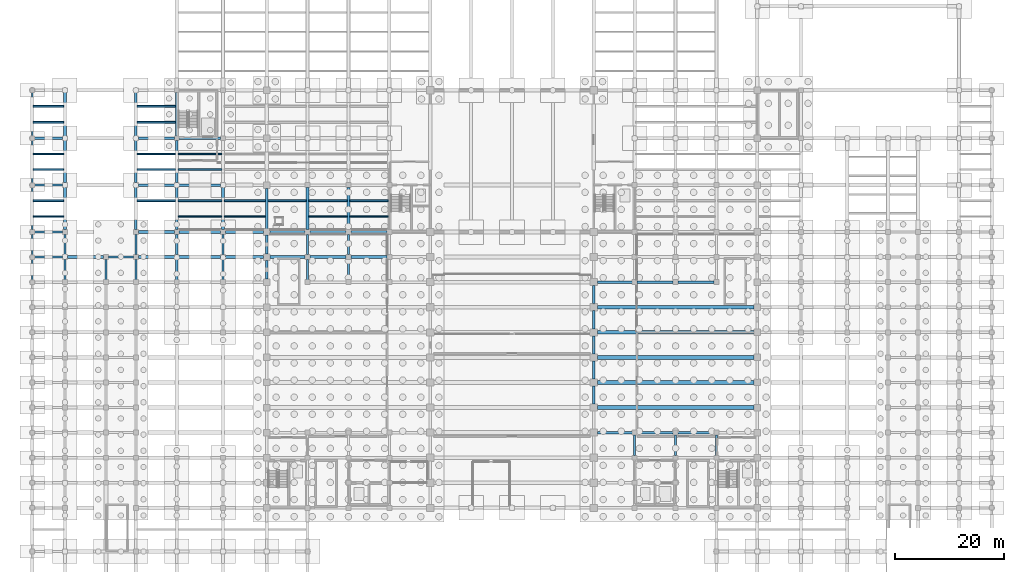
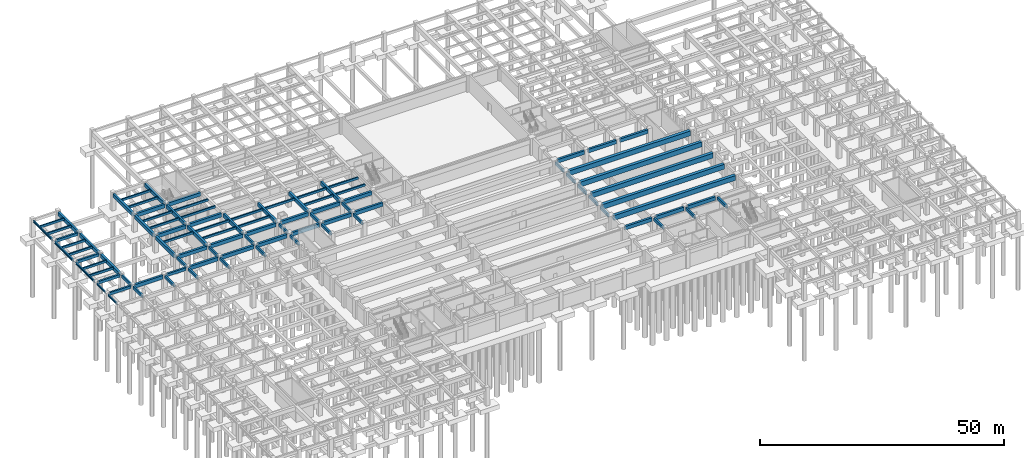
# One storey, part 15 of 32: 96 beams.
"""IFC4 building model written with IfcOpenShell, lengths in metres."""

import ifcopenshell
import ifcopenshell.guid

model = None  # the IFC model being written
_history = None  # IfcOwnerHistory: only IFC2X3 demands one
_inside = {}  # id of a spatial element -> (the spatial element, [elements in it])
_under = {}  # id of a project, library or spatial element -> (it, [spatial elements below it])
_declared = {}  # id of a project -> (the project, [libraries it declares])
_typed = {}  # id of a type object -> (the type object, [elements of that type])
_made_of = {}  # id of a material, layer set ... -> (it, [elements and type objects made of it])


def new_model(schema):
    """Start an empty IFC model of exactly this schema.

    Asked for "IFC4X3", IfcOpenShell would pick the latest addendum, in which some entities
    have other attributes; the version numbers below select the first issue.
    IFC2X3 requires an IfcOwnerHistory on every rooted entity: one is made here for all.
    """
    global model, _history
    if schema == "IFC4X3":
        model = ifcopenshell.file(schema_version=(4, 3, 0, 0))
    else:
        model = ifcopenshell.file(schema=schema)
    _inside.clear()
    _under.clear()
    _declared.clear()
    _typed.clear()
    _made_of.clear()
    _history = None
    if model.schema == "IFC2X3":
        org = make("IfcOrganization", Name="unknown")
        user = make(
            "IfcPersonAndOrganization",
            ThePerson=make("IfcPerson", FamilyName="unknown"),
            TheOrganization=org,
        )
        app = make(
            "IfcApplication",
            ApplicationDeveloper=org,
            Version="unknown",
            ApplicationFullName="unknown",
            ApplicationIdentifier="unknown",
        )
        _history = make(
            "IfcOwnerHistory",
            OwningUser=user,
            OwningApplication=app,
            ChangeAction="ADDED",
            CreationDate=0,
        )
    return model


def make(cls, **values):
    """One entity of the class cls with the attributes given. An attribute that is None is left unset."""
    return model.create_entity(
        cls, **{name: value for name, value in values.items() if value is not None}
    )


def rooted(cls, **values):
    """An entity with a GlobalId (a new one), such as an element, a storey or a relation."""
    return make(cls, GlobalId=ifcopenshell.guid.new(), OwnerHistory=_history, **values)


def si_unit(unit_type, name, prefix=None):
    """IfcSIUnit, for example si_unit("LENGTHUNIT", "METRE", prefix="MILLI")."""
    return make("IfcSIUnit", UnitType=unit_type, Prefix=prefix, Name=name)


def assignment(units):
    """IfcUnitAssignment: the units of a project."""
    return None if units is None else make("IfcUnitAssignment", Units=units)


def point(xyz):
    """IfcCartesianPoint."""
    return None if xyz is None else make("IfcCartesianPoint", Coordinates=xyz)


def direction(xyz):
    """IfcDirection."""
    return None if xyz is None else make("IfcDirection", DirectionRatios=xyz)


def frame(location, z_axis=None, x_axis=None):
    """IfcAxis2Placement3D, a coordinate frame: its origin and axes. An axis left out is left unset."""
    return make(
        "IfcAxis2Placement3D",
        Location=point(location),
        Axis=direction(z_axis),
        RefDirection=direction(x_axis),
    )


def frame_2d(location, x_axis=None):
    """IfcAxis2Placement2D, a coordinate frame in the plane: its origin and x axis."""
    return make(
        "IfcAxis2Placement2D", Location=point(location), RefDirection=direction(x_axis)
    )


def origin():
    """The frame at (0, 0, 0) with its axes left unset."""
    return frame((0.0, 0.0, 0.0))


def origin_2d():
    """The frame at (0, 0) in the plane with its x axis left unset."""
    return frame_2d((0.0, 0.0))


def place(relative_to, where):
    """IfcLocalPlacement: puts the frame where relative to a parent placement (None: the world)."""
    return make(
        "IfcLocalPlacement", PlacementRelTo=relative_to, RelativePlacement=where
    )


def context(
    kind, dimensions, precision=None, world=None, true_north=None, identifier=None
):
    """IfcGeometricRepresentationContext, for example the 3D "Model" context."""
    return make(
        "IfcGeometricRepresentationContext",
        ContextIdentifier=identifier,
        ContextType=kind,
        CoordinateSpaceDimension=dimensions,
        Precision=precision,
        WorldCoordinateSystem=world,
        TrueNorth=true_north,
    )


def subcontext(parent, identifier, kind, view, scale=None):
    """IfcGeometricRepresentationSubContext, for example "Body" below "Model"."""
    return make(
        "IfcGeometricRepresentationSubContext",
        ContextIdentifier=identifier,
        ContextType=kind,
        ParentContext=parent,
        TargetScale=scale,
        TargetView=view,
    )


def project(units=None, contexts=None):
    """IfcProject with its units and contexts."""
    return rooted(
        "IfcProject",
        Name="project",
        RepresentationContexts=contexts,
        UnitsInContext=assignment(units),
    )


def spatial(cls, under=None, at=None, **own):
    """A site, building, storey or space (cls), placed at a placement, below another one or the project."""
    s = rooted(cls, ObjectPlacement=at, **own)
    if under is not None:
        _under.setdefault(under.id(), (under, []))[1].append(s)
    return s


def profile(cls, at=None, kind="AREA", **sizes):
    """A parametric profile (cls). Its sizes go by their IFC names, for example OverallWidth=200.0."""
    return make(cls, ProfileType=kind, Position=at, **sizes)


def rectangle(**sizes):
    """IfcRectangleProfileDef."""
    return profile("IfcRectangleProfileDef", **sizes)


def i_section(**sizes):
    """IfcIShapeProfileDef."""
    return profile("IfcIShapeProfileDef", **sizes)


def extrude(swept, where, along, depth):
    """IfcExtrudedAreaSolid: the profile swept, set in the frame where, extruded along a direction by depth."""
    return make(
        "IfcExtrudedAreaSolid",
        SweptArea=swept,
        Position=where,
        ExtrudedDirection=direction(along),
        Depth=depth,
    )


def shape(context_of_items, identifier, shape_type, items):
    """IfcShapeRepresentation: the items that make up one representation, for example the "Body"."""
    return make(
        "IfcShapeRepresentation",
        ContextOfItems=context_of_items,
        RepresentationIdentifier=identifier,
        RepresentationType=shape_type,
        Items=items,
    )


def material(Name=None, Category=None):
    """IfcMaterial."""
    return make("IfcMaterial", Name=Name, Category=Category)


def material_profile(
    of_material, cross_section, Name=None, Category=None, Priority=None
):
    """IfcMaterialProfile: a cross section and its material."""
    return make(
        "IfcMaterialProfile",
        Name=Name,
        Material=of_material,
        Profile=cross_section,
        Priority=Priority,
        Category=Category,
    )


def profile_set(profiles, Name=None, composite=None):
    """IfcMaterialProfileSet."""
    return make(
        "IfcMaterialProfileSet",
        Name=Name,
        MaterialProfiles=profiles,
        CompositeProfile=composite,
    )


def made_of(thing, what):
    """Note that an element or type object is made of a material, layer set ...; save() writes the relation."""
    if what is not None:
        _made_of.setdefault(what.id(), (what, []))[1].append(thing)
    return thing


def type_object(cls, material=None, **own):
    """A type object (cls), such as IfcWallType, which elements share."""
    return made_of(rooted(cls, **own), material)


def element(
    cls,
    number,
    at=None,
    inside=None,
    cuts=None,
    type_object=None,
    material=None,
    context=None,
    identifier="Body",
    shape_type=None,
    held_by="IfcProductDefinitionShape",
    body=None,
    shapes=None,
    **own,
):
    """One element of the class cls, such as IfcWall. Its Tag is "e" and its number.

    at: its placement. inside: the storey or other place that contains it. cuts: it is an
    opening in that element (IfcRelVoidsElement). A single representation is given by context,
    identifier, shape_type and body (its items); several are given by shapes. held_by: the class
    of the entity that holds the representations. save() writes the other relations.
    """
    e = rooted(cls, Tag="e%d" % number, ObjectPlacement=at, **own)
    if body is not None:
        shapes = [shape(context, identifier, shape_type, body)]
    if shapes is not None:
        e.Representation = make(held_by, Representations=shapes)
    if inside is not None:
        _inside.setdefault(inside.id(), (inside, []))[1].append(e)
    if cuts is not None:
        rooted(
            "IfcRelVoidsElement", RelatingBuildingElement=cuts, RelatedOpeningElement=e
        )
    if type_object is not None:
        _typed.setdefault(type_object.id(), (type_object, []))[1].append(e)
    return made_of(e, material)


def aggregate(whole, parts):
    """IfcRelAggregates: a whole, such as a stair, and the parts it consists of."""
    return rooted("IfcRelAggregates", RelatingObject=whole, RelatedObjects=parts)


def save(model, path):
    """Write the relations noted so far, then the file.

    IfcRelAggregates (storeys below a building ...), IfcRelContainedInSpatialStructure (elements
    in a storey), IfcRelDefinesByType, IfcRelAssociatesMaterial and IfcRelDeclares: one each for
    every whole, place, type object, material and project.
    """
    for whole, parts in _under.values():
        aggregate(whole, parts)
    for where, things in _inside.values():
        rooted(
            "IfcRelContainedInSpatialStructure",
            RelatedElements=things,
            RelatingStructure=where,
        )
    for kind, things in _typed.values():
        rooted("IfcRelDefinesByType", RelatedObjects=things, RelatingType=kind)
    for what, things in _made_of.values():
        rooted("IfcRelAssociatesMaterial", RelatedObjects=things, RelatingMaterial=what)
    for by, libraries in _declared.values():
        rooted("IfcRelDeclares", RelatingContext=by, RelatedDefinitions=libraries)
    model.write(path)


model = new_model("IFC4")

# Units and contexts
model_context = context("Model", 3, precision=1e-05, world=origin(), true_north=direction((0.0, 1.0)))
body_context = subcontext(model_context, "Body", "Model", "MODEL_VIEW")
ifc_project = project(units=[si_unit("LENGTHUNIT", "METRE"), si_unit("AREAUNIT", "SQUARE_METRE"), si_unit("VOLUMEUNIT", "CUBIC_METRE"), si_unit("PLANEANGLEUNIT", "RADIAN"), si_unit("MASSUNIT", "GRAM", prefix="KILO")], contexts=[model_context])

# Site, building, storey
site_placement = place(None, origin())
site = spatial("IfcSite", under=ifc_project, at=site_placement, CompositionType="ELEMENT")
building_placement = place(site_placement, origin())
building = spatial("IfcBuilding", under=site, at=building_placement, Name="Muzn Square Opera House", CompositionType="ELEMENT")
storey_placement = place(building_placement, frame((0.0, 0.0, -4.199951171875)))
storey = spatial("IfcBuildingStorey", under=building, at=storey_placement, Name="B1", CompositionType="ELEMENT", Elevation=-4.199951171875)

# Beams
ifc_material_1 = material(Name="Concrete C40/50", Category="concrete")
ifc_material_profile_1 = material_profile(ifc_material_1, rectangle(XDim=0.300048828125, YDim=0.550048828125, at=origin_2d()), Name="RCJ 300x550", Category="concrete")
ifc_profile_set_1 = profile_set([ifc_material_profile_1], Name="Concrete C40/50")
beam_type_1 = type_object("IfcBeamType", Name="Floor Joist 300x550", PredefinedType="JOIST", material=ifc_profile_set_1)
for number, where, z_axis, x_axis, name in (
    (1, (0.14208984375, 75.466796875, 3.6650390625), (1.0, 0.0, 0.0), (0.0, 1.0, 0.0), "Floor Joist BM-B1-BM-J550-1_755_58_755-581"),
    (2, (0.14208984375, 78.333251953125, 3.6650390625), (1.0, 0.0, 0.0), (0.0, 1.0, 0.0), "Floor Joist BM-B1-BM-J550-1_783_58_783-582"),
    (3, (0.14208984375, 84.066650390625, 3.6650390625), (1.0, 0.0, 0.0), (0.0, 1.0, 0.0), "Floor Joist BM-B1-BM-J550-1_841_58_841-583"),
    (4, (0.14208984375, 86.933349609375, 3.6650390625), (1.0, 0.0, 0.0), (0.0, 1.0, 0.0), "Floor Joist BM-B1-BM-J550-1_869_58_869-584"),
    (5, (0.14208984375, 92.7333984375, 3.6650390625), (1.0, 0.0, 0.0), (0.0, 1.0, 0.0), "Floor Joist BM-B1-BM-J550-1_927_58_927-585"),
    (6, (0.14208984375, 95.666748046875, 3.6650390625), (1.0, 0.0, 0.0), (0.0, 1.0, 0.0), "Floor Joist BM-B1-BM-J550-1_957_58_957-586"),
):
    element("IfcBeam", number, at=place(storey_placement, frame(where, z_axis=z_axis, x_axis=x_axis)), inside=storey, type_object=beam_type_1, Name=name, PredefinedType="JOIST", context=body_context, shape_type="SweptSolid", body=[
        extrude(rectangle(XDim=0.300048828125, YDim=0.550048828125, at=origin_2d()), origin(), (0.0, 0.0, 1.0), 5.615966796875),
    ])
for number, where, z_axis, x_axis, name in (
    (7, (19.241943359375, 78.333251953125, 3.60498046875), (1.0, 0.0, 0.0), (0.0, 1.0, 0.0), "Floor Joist BM-B1-BM-J550-192_783_263_783-590"),
    (8, (19.241943359375, 84.066650390625, 3.60498046875), (1.0, 0.0, 0.0), (0.0, 1.0, 0.0), "Floor Joist BM-B1-BM-J550-192_841_263_841-591"),
    (9, (19.241943359375, 86.933349609375, 3.60498046875), (1.0, 0.0, 0.0), (0.0, 1.0, 0.0), "Floor Joist BM-B1-BM-J550-192_869_263_869-592"),
    (10, (19.241943359375, 92.7333984375, 3.60498046875), (1.0, 0.0, 0.0), (0.0, 1.0, 0.0), "Floor Joist BM-B1-BM-J550-192_927_263_927-593"),
    (11, (19.241943359375, 95.666748046875, 3.60498046875), (1.0, 0.0, 0.0), (0.0, 1.0, 0.0), "Floor Joist BM-B1-BM-J550-192_957_263_957-594"),
):
    element("IfcBeam", number, at=place(storey_placement, frame(where, z_axis=z_axis, x_axis=x_axis)), inside=storey, type_object=beam_type_1, Name=name, PredefinedType="JOIST", context=body_context, shape_type="SweptSolid", body=[
        extrude(rectangle(XDim=0.300048828125, YDim=0.550048828125, at=origin_2d()), origin(), (0.0, 0.0, 1.0), 7.01611328125),
    ])
for number, where, z_axis, x_axis, name in (
    (12, (26.741943359375, 75.466796875, 3.60498046875), (1.0, 0.0, 0.0), (0.0, 1.0, 0.0), "Floor Joist BM-B1-BM-J550-267_755_348_755-597"),
    (13, (26.741943359375, 78.333251953125, 3.60498046875), (1.0, 0.0, 0.0), (0.0, 1.0, 0.0), "Floor Joist BM-B1-BM-J550-267_783_348_783-598"),
    (14, (26.741943359375, 84.066650390625, 3.60498046875), (1.0, 0.0, 0.0), (0.0, 1.0, 0.0), "Floor Joist BM-B1-BM-J550-267_841_348_841-599"),
    (15, (26.741943359375, 86.933349609375, 3.60498046875), (1.0, 0.0, 0.0), (0.0, 1.0, 0.0), "Floor Joist BM-B1-BM-J550-267_869_348_869-600"),
):
    element("IfcBeam", number, at=place(storey_placement, frame(where, z_axis=z_axis, x_axis=x_axis)), inside=storey, type_object=beam_type_1, Name=name, PredefinedType="JOIST", context=body_context, shape_type="SweptSolid", body=[
        extrude(rectangle(XDim=0.300048828125, YDim=0.550048828125, at=origin_2d()), origin(), (0.0, 0.0, 1.0), 8.01611328125),
    ])
for number, where, z_axis, x_axis, name in (
    (16, (35.241943359375, 75.466796875, 3.60498046875), (1.0, 0.0, 0.0), (0.0, 1.0, 0.0), "Floor Joist BM-B1-BM-J550-352_755_428_755-608"),
    (17, (35.241943359375, 78.333251953125, 3.60498046875), (1.0, 0.0, 0.0), (0.0, 1.0, 0.0), "Floor Joist BM-B1-BM-J550-352_783_428_783-609"),
):
    element("IfcBeam", number, at=place(storey_placement, frame(where, z_axis=z_axis, x_axis=x_axis)), inside=storey, type_object=beam_type_1, Name=name, PredefinedType="JOIST", context=body_context, shape_type="SweptSolid", body=[
        extrude(rectangle(XDim=0.300048828125, YDim=0.550048828125, at=origin_2d()), origin(), (0.0, 0.0, 1.0), 7.51611328125),
    ])
for number, where, z_axis, x_axis, name in (
    (18, (43.241943359375, 78.333251953125, 3.60498046875), (1.0, 0.0, 0.0), (0.0, 1.0, 0.0), "Floor Joist BM-B1-BM-J550-432_783_503_783-622"),
    (19, (50.741943359375, 75.466796875, 3.60498046875), (1.0, 0.0, 0.0), (0.0, 1.0, 0.0), "Floor Joist BM-B1-BM-J550-507_755_578_755-632"),
    (20, (50.741943359375, 78.333251953125, 3.60498046875), (1.0, 0.0, 0.0), (0.0, 1.0, 0.0), "Floor Joist BM-B1-BM-J550-507_783_578_783-633"),
    (21, (58.241943359375, 75.466796875, 3.60498046875), (1.0, 0.0, 0.0), (0.0, 1.0, 0.0), "Floor Joist BM-B1-BM-J550-582_755_653_755-643"),
    (22, (58.241943359375, 78.333251953125, 3.60498046875), (1.0, 0.0, 0.0), (0.0, 1.0, 0.0), "Floor Joist BM-B1-BM-J550-582_783_653_783-644"),
):
    element("IfcBeam", number, at=place(storey_placement, frame(where, z_axis=z_axis, x_axis=x_axis)), inside=storey, type_object=beam_type_1, Name=name, PredefinedType="JOIST", context=body_context, shape_type="SweptSolid", body=[
        extrude(rectangle(XDim=0.300048828125, YDim=0.550048828125, at=origin_2d()), origin(), (0.0, 0.0, 1.0), 7.01611328125),
    ])
ifc_material_profile_2 = material_profile(ifc_material_1, rectangle(XDim=0.39990234375, YDim=0.699951171875, at=origin_2d()), Name="RCB 400x700", Category="concrete")
ifc_profile_set_2 = profile_set([ifc_material_profile_2], Name="Concrete C40/50")
beam_type_2 = type_object("IfcBeamType", Name="Primary Girder 400x700", PredefinedType="BEAM", material=ifc_profile_set_2)
beam_1_placement = place(storey_placement, frame((0.4169921875, 68.0, 3.58984375), z_axis=(1.0, 0.0, 0.0), x_axis=(0.0, 1.0, 0.0)))
element("IfcBeam", 23, at=beam_1_placement, inside=storey, type_object=beam_type_2, Name="Primary Girder BM-B1-BM-PG700-4_680_56_680-190", PredefinedType="BEAM", context=body_context, shape_type="SweptSolid", body=[
    extrude(rectangle(XDim=0.39990234375, YDim=0.699951171875, at=origin_2d()), origin(), (0.0, 0.0, 1.0), 5.14111328125),
])
beam_2_placement = place(storey_placement, frame((13.94189453125, 68.0, 3.530029296875), z_axis=(1.0, 0.0, 0.0), x_axis=(0.0, 1.0, 0.0)))
element("IfcBeam", 24, at=beam_2_placement, inside=storey, type_object=beam_type_2, Name="Primary Girder BM-B1-BM-PG700-139_680_186_680-192", PredefinedType="BEAM", context=body_context, shape_type="SweptSolid", body=[
    extrude(rectangle(XDim=0.39990234375, YDim=0.699951171875, at=origin_2d()), origin(), (0.0, 0.0, 1.0), 4.6162109375),
])
for number, where, z_axis, x_axis, name in (
    (25, (0.4169921875, 72.60009765625, 3.58984375), (1.0, 0.0, 0.0), (0.0, 1.0, 0.0), "Primary Girder BM-B1-BM-PG700-4_726_56_726-210"),
    (26, (0.4169921875, 81.199951171875, 3.58984375), (1.0, 0.0, 0.0), (0.0, 1.0, 0.0), "Primary Girder BM-B1-BM-PG700-4_812_56_812-229"),
    (27, (0.4169921875, 89.800048828125, 3.58984375), (1.0, 0.0, 0.0), (0.0, 1.0, 0.0), "Primary Girder BM-B1-BM-PG700-4_898_56_898-242"),
):
    element("IfcBeam", number, at=place(storey_placement, frame(where, z_axis=z_axis, x_axis=x_axis)), inside=storey, type_object=beam_type_2, Name=name, PredefinedType="BEAM", context=body_context, shape_type="SweptSolid", body=[
        extrude(rectangle(XDim=0.39990234375, YDim=0.699951171875, at=origin_2d()), origin(), (0.0, 0.0, 1.0), 5.14111328125),
    ])
for number, where, z_axis, x_axis, name in (
    (28, (6.0, 63.842041015625, 3.530029296875), (0.0, 1.0, 0.0), (-1.0, 0.0, 0.0), "Primary Girder BM-B1-BM-PG700-60_638_60_676-317"),
    (29, (6.0, 68.44189453125, 3.530029296875), (0.0, 1.0, 0.0), (-1.0, 0.0, 0.0), "Primary Girder BM-B1-BM-PG700-60_684_60_722-318"),
    (30, (13.5, 63.842041015625, 3.530029296875), (0.0, 1.0, 0.0), (-1.0, 0.0, 0.0), "Primary Girder BM-B1-BM-PG700-135_638_135_676-332"),
    (31, (19.0, 63.842041015625, 3.530029296875), (0.0, 1.0, 0.0), (-1.0, 0.0, 0.0), "Primary Girder BM-B1-BM-PG700-190_638_190_676-345"),
    (32, (19.0, 68.44189453125, 3.530029296875), (0.0, 1.0, 0.0), (-1.0, 0.0, 0.0), "Primary Girder BM-B1-BM-PG700-190_684_190_722-346"),
    (33, (26.5, 63.842041015625, 3.530029296875), (0.0, 1.0, 0.0), (-1.0, 0.0, 0.0), "Primary Girder BM-B1-BM-PG700-265_638_265_676-357"),
    (34, (26.5, 68.44189453125, 3.530029296875), (0.0, 1.0, 0.0), (-1.0, 0.0, 0.0), "Primary Girder BM-B1-BM-PG700-265_684_265_722-358"),
    (35, (35.0, 63.842041015625, 3.530029296875), (0.0, 1.0, 0.0), (-1.0, 0.0, 0.0), "Primary Girder BM-B1-BM-PG700-350_638_350_676-370"),
    (36, (35.0, 68.44189453125, 3.530029296875), (0.0, 1.0, 0.0), (-1.0, 0.0, 0.0), "Primary Girder BM-B1-BM-PG700-350_684_350_722-371"),
):
    element("IfcBeam", number, at=place(storey_placement, frame(where, z_axis=z_axis, x_axis=x_axis)), inside=storey, type_object=beam_type_2, Name=name, PredefinedType="BEAM", context=body_context, shape_type="SweptSolid", body=[
        extrude(rectangle(XDim=0.39990234375, YDim=0.699951171875, at=origin_2d()), origin(), (0.0, 0.0, 1.0), 3.716064453125),
    ])
for number, where, z_axis, x_axis, name in (
    (37, (43.0, 63.991943359375, 3.530029296875), (0.0, 1.0, 0.0), (-1.0, 0.0, 0.0), "Primary Girder BM-B1-BM-PG700-430_640_430_674-388"),
    (38, (43.0, 68.592041015625, 3.530029296875), (0.0, 1.0, 0.0), (-1.0, 0.0, 0.0), "Primary Girder BM-B1-BM-PG700-430_686_430_720-389"),
):
    element("IfcBeam", number, at=place(storey_placement, frame(where, z_axis=z_axis, x_axis=x_axis)), inside=storey, type_object=beam_type_2, Name=name, PredefinedType="BEAM", context=body_context, shape_type="SweptSolid", body=[
        extrude(rectangle(XDim=0.39990234375, YDim=0.699951171875, at=origin_2d()), origin(), (0.0, 0.0, 1.0), 3.416015625),
    ])
for number, where, z_axis, x_axis, name in (
    (39, (50.5, 63.842041015625, 3.530029296875), (0.0, 1.0, 0.0), (-1.0, 0.0, 0.0), "Primary Girder BM-B1-BM-PG700-505_638_505_676-400"),
    (40, (50.5, 68.44189453125, 3.530029296875), (0.0, 1.0, 0.0), (-1.0, 0.0, 0.0), "Primary Girder BM-B1-BM-PG700-505_684_505_722-401"),
    (41, (58.0, 63.842041015625, 3.530029296875), (0.0, 1.0, 0.0), (-1.0, 0.0, 0.0), "Primary Girder BM-B1-BM-PG700-580_638_580_676-409"),
    (42, (58.0, 68.44189453125, 3.530029296875), (0.0, 1.0, 0.0), (-1.0, 0.0, 0.0), "Primary Girder BM-B1-BM-PG700-580_684_580_722-410"),
):
    element("IfcBeam", number, at=place(storey_placement, frame(where, z_axis=z_axis, x_axis=x_axis)), inside=storey, type_object=beam_type_2, Name=name, PredefinedType="BEAM", context=body_context, shape_type="SweptSolid", body=[
        extrude(rectangle(XDim=0.39990234375, YDim=0.699951171875, at=origin_2d()), origin(), (0.0, 0.0, 1.0), 3.716064453125),
    ])
for number, where, z_axis, x_axis, name in (
    (43, (103.0, 41.0419921875, 3.530029296875), (0.0, 1.0, 0.0), (-1.0, 0.0, 0.0), "Primary Girder BM-B1-BM-PG700-1030_410_1030_444-440"),
    (44, (103.0, 45.64208984375, 3.530029296875), (0.0, 1.0, 0.0), (-1.0, 0.0, 0.0), "Primary Girder BM-B1-BM-PG700-1030_456_1030_490-441"),
):
    element("IfcBeam", number, at=place(storey_placement, frame(where, z_axis=z_axis, x_axis=x_axis)), inside=storey, type_object=beam_type_2, Name=name, PredefinedType="BEAM", context=body_context, shape_type="SweptSolid", body=[
        extrude(rectangle(XDim=0.39990234375, YDim=0.699951171875, at=origin_2d()), origin(), (0.0, 0.0, 1.0), 3.31591796875),
    ])
beam_3_placement = place(storey_placement, frame((103.0, 50.241943359375, 3.530029296875), z_axis=(0.0, 1.0, 0.0), x_axis=(-1.0, 0.0, 0.0)))
element("IfcBeam", 45, at=beam_3_placement, inside=storey, type_object=beam_type_2, Name="Primary Girder BM-B1-BM-PG700-1030_502_1030_536-442", PredefinedType="BEAM", context=body_context, shape_type="SweptSolid", body=[
    extrude(rectangle(XDim=0.39990234375, YDim=0.699951171875, at=origin_2d()), origin(), (0.0, 0.0, 1.0), 3.316162109375),
])
beam_4_placement = place(storey_placement, frame((103.0, 54.842041015625, 3.530029296875), z_axis=(0.0, 1.0, 0.0), x_axis=(-1.0, 0.0, 0.0)))
element("IfcBeam", 46, at=beam_4_placement, inside=storey, type_object=beam_type_2, Name="Primary Girder BM-B1-BM-PG700-1030_548_1030_582-443", PredefinedType="BEAM", context=body_context, shape_type="SweptSolid", body=[
    extrude(rectangle(XDim=0.39990234375, YDim=0.699951171875, at=origin_2d()), origin(), (0.0, 0.0, 1.0), 3.31591796875),
])
beam_5_placement = place(storey_placement, frame((103.0, 59.44189453125, 3.530029296875), z_axis=(0.0, 1.0, 0.0), x_axis=(-1.0, 0.0, 0.0)))
element("IfcBeam", 47, at=beam_5_placement, inside=storey, type_object=beam_type_2, Name="Primary Girder BM-B1-BM-PG700-1030_594_1030_628-444", PredefinedType="BEAM", context=body_context, shape_type="SweptSolid", body=[
    extrude(rectangle(XDim=0.39990234375, YDim=0.699951171875, at=origin_2d()), origin(), (0.0, 0.0, 1.0), 3.316162109375),
])
for number, where, z_axis, x_axis, name in (
    (48, (110.5, 31.64208984375, 3.530029296875), (0.0, 1.0, 0.0), (-1.0, 0.0, 0.0), "Primary Girder BM-B1-BM-PG700-1105_316_1105_354-450"),
    (49, (118.0, 31.64208984375, 3.530029296875), (0.0, 1.0, 0.0), (-1.0, 0.0, 0.0), "Primary Girder BM-B1-BM-PG700-1180_316_1180_354-459"),
    (50, (125.5, 31.64208984375, 3.530029296875), (0.0, 1.0, 0.0), (-1.0, 0.0, 0.0), "Primary Girder BM-B1-BM-PG700-1255_316_1255_354-471"),
):
    element("IfcBeam", number, at=place(storey_placement, frame(where, z_axis=z_axis, x_axis=x_axis)), inside=storey, type_object=beam_type_2, Name=name, PredefinedType="BEAM", context=body_context, shape_type="SweptSolid", body=[
        extrude(rectangle(XDim=0.39990234375, YDim=0.699951171875, at=origin_2d()), origin(), (0.0, 0.0, 1.0), 3.7158203125),
    ])
ifc_material_profile_3 = material_profile(ifc_material_1, rectangle(XDim=0.5, YDim=0.89990234375, at=origin_2d()), Name="RCB 500x900", Category="concrete")
ifc_profile_set_3 = profile_set([ifc_material_profile_3], Name="Concrete C40/50")
beam_type_3 = type_object("IfcBeamType", Name="Primary Girder 500x900", PredefinedType="BEAM", material=ifc_profile_set_3)
beam_6_placement = place(storey_placement, frame((103.64208984375, 35.800048828125, 3.429931640625), z_axis=(1.0, 0.0, 0.0), x_axis=(0.0, 1.0, 0.0)))
element("IfcBeam", 51, at=beam_6_placement, inside=storey, type_object=beam_type_3, Name="Primary Girder BM-B1-BM-PG900-1036_358_1101_358-107", PredefinedType="BEAM", context=body_context, shape_type="SweptSolid", body=[
    extrude(rectangle(XDim=0.5, YDim=0.89990234375, at=origin_2d()), origin(), (0.0, 0.0, 1.0), 6.416015625),
])
for number, where, z_axis, x_axis, name in (
    (52, (110.94189453125, 35.800048828125, 3.429931640625), (1.0, 0.0, 0.0), (0.0, 1.0, 0.0), "Primary Girder BM-B1-BM-PG900-1109_358_1176_358-108"),
    (53, (118.44189453125, 35.800048828125, 3.429931640625), (1.0, 0.0, 0.0), (0.0, 1.0, 0.0), "Primary Girder BM-B1-BM-PG900-1184_358_1251_358-109"),
):
    element("IfcBeam", number, at=place(storey_placement, frame(where, z_axis=z_axis, x_axis=x_axis)), inside=storey, type_object=beam_type_3, Name=name, PredefinedType="BEAM", context=body_context, shape_type="SweptSolid", body=[
        extrude(rectangle(XDim=0.5, YDim=0.89990234375, at=origin_2d()), origin(), (0.0, 0.0, 1.0), 6.6162109375),
    ])
beam_7_placement = place(storey_placement, frame((103.64208984375, 63.39990234375, 3.429931640625), z_axis=(1.0, 0.0, 0.0), x_axis=(0.0, 1.0, 0.0)))
element("IfcBeam", 54, at=beam_7_placement, inside=storey, type_object=beam_type_3, Name="Primary Girder BM-B1-BM-PG900-1036_634_1101_634-181", PredefinedType="BEAM", context=body_context, shape_type="SweptSolid", body=[
    extrude(rectangle(XDim=0.5, YDim=0.89990234375, at=origin_2d()), origin(), (0.0, 0.0, 1.0), 6.416015625),
])
for number, where, z_axis, x_axis, name in (
    (55, (110.94189453125, 63.39990234375, 3.429931640625), (1.0, 0.0, 0.0), (0.0, 1.0, 0.0), "Primary Girder BM-B1-BM-PG900-1109_634_1176_634-182"),
    (56, (118.44189453125, 63.39990234375, 3.429931640625), (1.0, 0.0, 0.0), (0.0, 1.0, 0.0), "Primary Girder BM-B1-BM-PG900-1184_634_1251_634-183"),
    (57, (6.44189453125, 68.0, 3.429931640625), (1.0, 0.0, 0.0), (0.0, 1.0, 0.0), "Primary Girder BM-B1-BM-PG900-64_680_131_680-191"),
    (58, (19.44189453125, 68.0, 3.429931640625), (1.0, 0.0, 0.0), (0.0, 1.0, 0.0), "Primary Girder BM-B1-BM-PG900-194_680_261_680-193"),
):
    element("IfcBeam", number, at=place(storey_placement, frame(where, z_axis=z_axis, x_axis=x_axis)), inside=storey, type_object=beam_type_3, Name=name, PredefinedType="BEAM", context=body_context, shape_type="SweptSolid", body=[
        extrude(rectangle(XDim=0.5, YDim=0.89990234375, at=origin_2d()), origin(), (0.0, 0.0, 1.0), 6.6162109375),
    ])
beam_8_placement = place(storey_placement, frame((26.94189453125, 68.0, 3.429931640625), z_axis=(1.0, 0.0, 0.0), x_axis=(0.0, 1.0, 0.0)))
element("IfcBeam", 59, at=beam_8_placement, inside=storey, type_object=beam_type_3, Name="Primary Girder BM-B1-BM-PG900-269_680_346_680-194", PredefinedType="BEAM", context=body_context, shape_type="SweptSolid", body=[
    extrude(rectangle(XDim=0.5, YDim=0.89990234375, at=origin_2d()), origin(), (0.0, 0.0, 1.0), 7.6162109375),
])
beam_9_placement = place(storey_placement, frame((35.44189453125, 68.0, 3.429931640625), z_axis=(1.0, 0.0, 0.0), x_axis=(0.0, 1.0, 0.0)))
element("IfcBeam", 60, at=beam_9_placement, inside=storey, type_object=beam_type_3, Name="Primary Girder BM-B1-BM-PG900-354_680_424_680-195", PredefinedType="BEAM", context=body_context, shape_type="SweptSolid", body=[
    extrude(rectangle(XDim=0.5, YDim=0.89990234375, at=origin_2d()), origin(), (0.0, 0.0, 1.0), 6.966064453125),
])
beam_10_placement = place(storey_placement, frame((43.592041015625, 68.0, 3.429931640625), z_axis=(1.0, 0.0, 0.0), x_axis=(0.0, 1.0, 0.0)))
element("IfcBeam", 61, at=beam_10_placement, inside=storey, type_object=beam_type_3, Name="Primary Girder BM-B1-BM-PG900-436_680_501_680-196", PredefinedType="BEAM", context=body_context, shape_type="SweptSolid", body=[
    extrude(rectangle(XDim=0.5, YDim=0.89990234375, at=origin_2d()), origin(), (0.0, 0.0, 1.0), 6.466064453125),
])
for number, where, z_axis, x_axis, name in (
    (62, (50.94189453125, 68.0, 3.429931640625), (1.0, 0.0, 0.0), (0.0, 1.0, 0.0), "Primary Girder BM-B1-BM-PG900-509_680_576_680-197"),
    (63, (58.44189453125, 68.0, 3.429931640625), (1.0, 0.0, 0.0), (0.0, 1.0, 0.0), "Primary Girder BM-B1-BM-PG900-584_680_651_680-198"),
    (64, (19.44189453125, 72.60009765625, 3.429931640625), (1.0, 0.0, 0.0), (0.0, 1.0, 0.0), "Primary Girder BM-B1-BM-PG900-194_726_261_726-211"),
):
    element("IfcBeam", number, at=place(storey_placement, frame(where, z_axis=z_axis, x_axis=x_axis)), inside=storey, type_object=beam_type_3, Name=name, PredefinedType="BEAM", context=body_context, shape_type="SweptSolid", body=[
        extrude(rectangle(XDim=0.5, YDim=0.89990234375, at=origin_2d()), origin(), (0.0, 0.0, 1.0), 6.6162109375),
    ])
beam_11_placement = place(storey_placement, frame((26.94189453125, 72.60009765625, 3.429931640625), z_axis=(1.0, 0.0, 0.0), x_axis=(0.0, 1.0, 0.0)))
element("IfcBeam", 65, at=beam_11_placement, inside=storey, type_object=beam_type_3, Name="Primary Girder BM-B1-BM-PG900-269_726_346_726-212", PredefinedType="BEAM", context=body_context, shape_type="SweptSolid", body=[
    extrude(rectangle(XDim=0.5, YDim=0.89990234375, at=origin_2d()), origin(), (0.0, 0.0, 1.0), 7.6162109375),
])
beam_12_placement = place(storey_placement, frame((35.44189453125, 72.60009765625, 3.429931640625), z_axis=(1.0, 0.0, 0.0), x_axis=(0.0, 1.0, 0.0)))
element("IfcBeam", 66, at=beam_12_placement, inside=storey, type_object=beam_type_3, Name="Primary Girder BM-B1-BM-PG900-354_726_424_726-213", PredefinedType="BEAM", context=body_context, shape_type="SweptSolid", body=[
    extrude(rectangle(XDim=0.5, YDim=0.89990234375, at=origin_2d()), origin(), (0.0, 0.0, 1.0), 6.966064453125),
])
beam_13_placement = place(storey_placement, frame((43.592041015625, 72.60009765625, 3.429931640625), z_axis=(1.0, 0.0, 0.0), x_axis=(0.0, 1.0, 0.0)))
element("IfcBeam", 67, at=beam_13_placement, inside=storey, type_object=beam_type_3, Name="Primary Girder BM-B1-BM-PG900-436_726_501_726-214", PredefinedType="BEAM", context=body_context, shape_type="SweptSolid", body=[
    extrude(rectangle(XDim=0.5, YDim=0.89990234375, at=origin_2d()), origin(), (0.0, 0.0, 1.0), 6.466064453125),
])
for number, where, z_axis, x_axis, name in (
    (68, (50.94189453125, 72.60009765625, 3.429931640625), (1.0, 0.0, 0.0), (0.0, 1.0, 0.0), "Primary Girder BM-B1-BM-PG900-509_726_576_726-215"),
    (69, (58.44189453125, 72.60009765625, 3.429931640625), (1.0, 0.0, 0.0), (0.0, 1.0, 0.0), "Primary Girder BM-B1-BM-PG900-584_726_651_726-216"),
    (70, (19.44189453125, 81.199951171875, 3.429931640625), (1.0, 0.0, 0.0), (0.0, 1.0, 0.0), "Primary Girder BM-B1-BM-PG900-194_812_261_812-230"),
):
    element("IfcBeam", number, at=place(storey_placement, frame(where, z_axis=z_axis, x_axis=x_axis)), inside=storey, type_object=beam_type_3, Name=name, PredefinedType="BEAM", context=body_context, shape_type="SweptSolid", body=[
        extrude(rectangle(XDim=0.5, YDim=0.89990234375, at=origin_2d()), origin(), (0.0, 0.0, 1.0), 6.6162109375),
    ])
beam_14_placement = place(storey_placement, frame((26.94189453125, 81.199951171875, 3.429931640625), z_axis=(1.0, 0.0, 0.0), x_axis=(0.0, 1.0, 0.0)))
element("IfcBeam", 71, at=beam_14_placement, inside=storey, type_object=beam_type_3, Name="Primary Girder BM-B1-BM-PG900-269_812_346_812-231", PredefinedType="BEAM", context=body_context, shape_type="SweptSolid", body=[
    extrude(rectangle(XDim=0.5, YDim=0.89990234375, at=origin_2d()), origin(), (0.0, 0.0, 1.0), 7.6162109375),
])
beam_15_placement = place(storey_placement, frame((19.44189453125, 89.800048828125, 3.429931640625), z_axis=(1.0, 0.0, 0.0), x_axis=(0.0, 1.0, 0.0)))
element("IfcBeam", 72, at=beam_15_placement, inside=storey, type_object=beam_type_3, Name="Primary Girder BM-B1-BM-PG900-194_898_261_898-243", PredefinedType="BEAM", context=body_context, shape_type="SweptSolid", body=[
    extrude(rectangle(XDim=0.5, YDim=0.89990234375, at=origin_2d()), origin(), (0.0, 0.0, 1.0), 6.6162109375),
])
beam_16_placement = place(storey_placement, frame((26.94189453125, 89.800048828125, 3.429931640625), z_axis=(1.0, 0.0, 0.0), x_axis=(0.0, 1.0, 0.0)))
element("IfcBeam", 73, at=beam_16_placement, inside=storey, type_object=beam_type_3, Name="Primary Girder BM-B1-BM-PG900-269_898_346_898-244", PredefinedType="BEAM", context=body_context, shape_type="SweptSolid", body=[
    extrude(rectangle(XDim=0.5, YDim=0.89990234375, at=origin_2d()), origin(), (0.0, 0.0, 1.0), 7.6162109375),
])
beam_17_placement = place(storey_placement, frame((6.0, 73.0419921875, 3.429931640625), z_axis=(0.0, 1.0, 0.0), x_axis=(-1.0, 0.0, 0.0)))
element("IfcBeam", 74, at=beam_17_placement, inside=storey, type_object=beam_type_3, Name="Primary Girder BM-B1-BM-PG900-60_730_60_808-319", PredefinedType="BEAM", context=body_context, shape_type="SweptSolid", body=[
    extrude(rectangle(XDim=0.5, YDim=0.89990234375, at=origin_2d()), origin(), (0.0, 0.0, 1.0), 7.716064453125),
])
beam_18_placement = place(storey_placement, frame((6.0, 81.64208984375, 3.429931640625), z_axis=(0.0, 1.0, 0.0), x_axis=(-1.0, 0.0, 0.0)))
element("IfcBeam", 75, at=beam_18_placement, inside=storey, type_object=beam_type_3, Name="Primary Girder BM-B1-BM-PG900-60_816_60_894-320", PredefinedType="BEAM", context=body_context, shape_type="SweptSolid", body=[
    extrude(rectangle(XDim=0.5, YDim=0.89990234375, at=origin_2d()), origin(), (0.0, 0.0, 1.0), 7.7158203125),
])
beam_19_placement = place(storey_placement, frame((6.0, 90.241943359375, 3.429931640625), z_axis=(0.0, 1.0, 0.0), x_axis=(-1.0, 0.0, 0.0)))
element("IfcBeam", 76, at=beam_19_placement, inside=storey, type_object=beam_type_3, Name="Primary Girder BM-B1-BM-PG900-60_902_60_982-321", PredefinedType="BEAM", context=body_context, shape_type="SweptSolid", body=[
    extrude(rectangle(XDim=0.5, YDim=0.89990234375, at=origin_2d()), origin(), (0.0, 0.0, 1.0), 7.916015625),
])
beam_20_placement = place(storey_placement, frame((19.0, 73.0419921875, 3.429931640625), z_axis=(0.0, 1.0, 0.0), x_axis=(-1.0, 0.0, 0.0)))
element("IfcBeam", 77, at=beam_20_placement, inside=storey, type_object=beam_type_3, Name="Primary Girder BM-B1-BM-PG900-190_730_190_808-347", PredefinedType="BEAM", context=body_context, shape_type="SweptSolid", body=[
    extrude(rectangle(XDim=0.5, YDim=0.89990234375, at=origin_2d()), origin(), (0.0, 0.0, 1.0), 7.716064453125),
])
beam_21_placement = place(storey_placement, frame((19.0, 81.64208984375, 3.429931640625), z_axis=(0.0, 1.0, 0.0), x_axis=(-1.0, 0.0, 0.0)))
element("IfcBeam", 78, at=beam_21_placement, inside=storey, type_object=beam_type_3, Name="Primary Girder BM-B1-BM-PG900-190_816_190_894-348", PredefinedType="BEAM", context=body_context, shape_type="SweptSolid", body=[
    extrude(rectangle(XDim=0.5, YDim=0.89990234375, at=origin_2d()), origin(), (0.0, 0.0, 1.0), 7.7158203125),
])
beam_22_placement = place(storey_placement, frame((19.0, 90.241943359375, 3.429931640625), z_axis=(0.0, 1.0, 0.0), x_axis=(-1.0, 0.0, 0.0)))
element("IfcBeam", 79, at=beam_22_placement, inside=storey, type_object=beam_type_3, Name="Primary Girder BM-B1-BM-PG900-190_902_190_982-349", PredefinedType="BEAM", context=body_context, shape_type="SweptSolid", body=[
    extrude(rectangle(XDim=0.5, YDim=0.89990234375, at=origin_2d()), origin(), (0.0, 0.0, 1.0), 7.916015625),
])
beam_23_placement = place(storey_placement, frame((26.5, 73.0419921875, 3.429931640625), z_axis=(0.0, 1.0, 0.0), x_axis=(-1.0, 0.0, 0.0)))
element("IfcBeam", 80, at=beam_23_placement, inside=storey, type_object=beam_type_3, Name="Primary Girder BM-B1-BM-PG900-265_730_265_808-359", PredefinedType="BEAM", context=body_context, shape_type="SweptSolid", body=[
    extrude(rectangle(XDim=0.5, YDim=0.89990234375, at=origin_2d()), origin(), (0.0, 0.0, 1.0), 7.716064453125),
])
beam_24_placement = place(storey_placement, frame((26.5, 81.64208984375, 3.429931640625), z_axis=(0.0, 1.0, 0.0), x_axis=(-1.0, 0.0, 0.0)))
element("IfcBeam", 81, at=beam_24_placement, inside=storey, type_object=beam_type_3, Name="Primary Girder BM-B1-BM-PG900-265_816_265_894-360", PredefinedType="BEAM", context=body_context, shape_type="SweptSolid", body=[
    extrude(rectangle(XDim=0.5, YDim=0.89990234375, at=origin_2d()), origin(), (0.0, 0.0, 1.0), 7.7158203125),
])
beam_25_placement = place(storey_placement, frame((26.5, 90.241943359375, 3.429931640625), z_axis=(0.0, 1.0, 0.0), x_axis=(-1.0, 0.0, 0.0)))
element("IfcBeam", 82, at=beam_25_placement, inside=storey, type_object=beam_type_3, Name="Primary Girder BM-B1-BM-PG900-265_902_265_982-361", PredefinedType="BEAM", context=body_context, shape_type="SweptSolid", body=[
    extrude(rectangle(XDim=0.5, YDim=0.89990234375, at=origin_2d()), origin(), (0.0, 0.0, 1.0), 7.916015625),
])
beam_26_placement = place(storey_placement, frame((35.0, 73.0419921875, 3.429931640625), z_axis=(0.0, 1.0, 0.0), x_axis=(-1.0, 0.0, 0.0)))
element("IfcBeam", 83, at=beam_26_placement, inside=storey, type_object=beam_type_3, Name="Primary Girder BM-B1-BM-PG900-350_730_350_808-372", PredefinedType="BEAM", context=body_context, shape_type="SweptSolid", body=[
    extrude(rectangle(XDim=0.5, YDim=0.89990234375, at=origin_2d()), origin(), (0.0, 0.0, 1.0), 7.716064453125),
])
beam_27_placement = place(storey_placement, frame((43.0, 73.19189453125, 3.429931640625), z_axis=(0.0, 1.0, 0.0), x_axis=(-1.0, 0.0, 0.0)))
element("IfcBeam", 84, at=beam_27_placement, inside=storey, type_object=beam_type_3, Name="Primary Girder BM-B1-BM-PG900-430_732_430_806-390", PredefinedType="BEAM", context=body_context, shape_type="SweptSolid", body=[
    extrude(rectangle(XDim=0.5, YDim=0.89990234375, at=origin_2d()), origin(), (0.0, 0.0, 1.0), 7.416015625),
])
for number, where, z_axis, x_axis, name in (
    (85, (50.5, 73.0419921875, 3.429931640625), (0.0, 1.0, 0.0), (-1.0, 0.0, 0.0), "Primary Girder BM-B1-BM-PG900-505_730_505_808-402"),
    (86, (58.0, 73.0419921875, 3.429931640625), (0.0, 1.0, 0.0), (-1.0, 0.0, 0.0), "Primary Girder BM-B1-BM-PG900-580_730_580_808-411"),
):
    element("IfcBeam", number, at=place(storey_placement, frame(where, z_axis=z_axis, x_axis=x_axis)), inside=storey, type_object=beam_type_3, Name=name, PredefinedType="BEAM", context=body_context, shape_type="SweptSolid", body=[
        extrude(rectangle(XDim=0.5, YDim=0.89990234375, at=origin_2d()), origin(), (0.0, 0.0, 1.0), 7.716064453125),
    ])
ifc_material_profile_4 = material_profile(ifc_material_1, rectangle(XDim=0.699951171875, YDim=1.199951171875, at=origin_2d()), Name="RCB 700x1200", Category="concrete")
ifc_profile_set_4 = profile_set([ifc_material_profile_4], Name="Concrete C40/50")
beam_type_4 = type_object("IfcBeamType", Name="Primary Girder 700x1200", PredefinedType="BEAM", material=ifc_profile_set_4)
for number, where, z_axis, x_axis, name in (
    (87, (103.64208984375, 40.39990234375, 3.280029296875), (1.0, 0.0, 0.0), (0.0, 1.0, 0.0), "Primary Girder BM-B1-BM-PG1200-1036_404_1324_404-119"),
    (88, (103.64208984375, 45.0, 3.280029296875), (1.0, 0.0, 0.0), (0.0, 1.0, 0.0), "Primary Girder BM-B1-BM-PG1200-1036_450_1324_450-128"),
    (89, (103.64208984375, 49.60009765625, 3.280029296875), (1.0, 0.0, 0.0), (0.0, 1.0, 0.0), "Primary Girder BM-B1-BM-PG1200-1036_496_1324_496-137"),
    (90, (103.64208984375, 54.199951171875, 3.280029296875), (1.0, 0.0, 0.0), (0.0, 1.0, 0.0), "Primary Girder BM-B1-BM-PG1200-1036_542_1324_542-149"),
    (91, (103.64208984375, 58.800048828125, 3.280029296875), (1.0, 0.0, 0.0), (0.0, 1.0, 0.0), "Primary Girder BM-B1-BM-PG1200-1036_588_1324_588-164"),
):
    element("IfcBeam", number, at=place(storey_placement, frame(where, z_axis=z_axis, x_axis=x_axis)), inside=storey, type_object=beam_type_4, Name=name, PredefinedType="BEAM", context=body_context, shape_type="SweptSolid", body=[
        extrude(rectangle(XDim=0.699951171875, YDim=1.199951171875, at=origin_2d()), origin(), (0.0, 0.0, 1.0), 28.765869140625),
    ])
ifc_material_2 = material(Name="Steel S355", Category="steel")
ifc_material_profile_5 = material_profile(ifc_material_2, i_section(OverallWidth=0.300048828125, OverallDepth=0.389892578125, WebThickness=0.010986328125, FlangeThickness=0.01904296875, FilletRadius=0.027099609375, at=origin_2d()), Name="HEA 400", Category="steel")
ifc_profile_set_5 = profile_set([ifc_material_profile_5], Name="Steel S355")
beam_type_5 = type_object("IfcBeamType", Name="Steel Spandrel Beam HEA400", PredefinedType="SPANDREL", material=ifc_profile_set_5)
for number, where, z_axis, x_axis, name in (
    (92, (0.0, 63.81689453125, 3.68505859375), (0.0, 1.0, 0.0), (-1.0, 0.0, 0.0), "Spandrel Beam BM-B1-BM-SSP400-0_638_0_676-300"),
    (93, (0.0, 68.4169921875, 3.68505859375), (0.0, 1.0, 0.0), (-1.0, 0.0, 0.0), "Spandrel Beam BM-B1-BM-SSP400-0_684_0_722-301"),
):
    element("IfcBeam", number, at=place(storey_placement, frame(where, z_axis=z_axis, x_axis=x_axis)), inside=storey, type_object=beam_type_5, Name=name, PredefinedType="SPANDREL", context=body_context, shape_type="SweptSolid", body=[
        extrude(i_section(OverallWidth=0.300048828125, OverallDepth=0.389892578125, WebThickness=0.010986328125, FlangeThickness=0.01904296875, FilletRadius=0.027099609375, at=origin_2d()), origin(), (0.0, 0.0, 1.0), 3.76611328125),
    ])
ifc_material_profile_6 = material_profile(ifc_material_2, i_section(OverallWidth=0.300048828125, OverallDepth=0.489990234375, WebThickness=0.011962890625, FlangeThickness=0.02294921875, FilletRadius=0.027099609375, at=origin_2d()), Name="HEA 500", Category="steel")
ifc_profile_set_6 = profile_set([ifc_material_profile_6], Name="Steel S355")
beam_type_6 = type_object("IfcBeamType", Name="Steel Spandrel Beam HEA500", PredefinedType="SPANDREL", material=ifc_profile_set_6)
beam_28_placement = place(storey_placement, frame((0.0, 73.01708984375, 3.635009765625), z_axis=(0.0, 1.0, 0.0), x_axis=(-1.0, 0.0, 0.0)))
element("IfcBeam", 94, at=beam_28_placement, inside=storey, type_object=beam_type_6, Name="Spandrel Beam BM-B1-BM-SSP500-0_730_0_808-302", PredefinedType="SPANDREL", context=body_context, shape_type="SweptSolid", body=[
    extrude(i_section(OverallWidth=0.300048828125, OverallDepth=0.489990234375, WebThickness=0.011962890625, FlangeThickness=0.02294921875, FilletRadius=0.027099609375, at=origin_2d()), origin(), (0.0, 0.0, 1.0), 7.765869140625),
])
beam_29_placement = place(storey_placement, frame((0.0, 81.616943359375, 3.635009765625), z_axis=(0.0, 1.0, 0.0), x_axis=(-1.0, 0.0, 0.0)))
element("IfcBeam", 95, at=beam_29_placement, inside=storey, type_object=beam_type_6, Name="Spandrel Beam BM-B1-BM-SSP500-0_816_0_894-303", PredefinedType="SPANDREL", context=body_context, shape_type="SweptSolid", body=[
    extrude(i_section(OverallWidth=0.300048828125, OverallDepth=0.489990234375, WebThickness=0.011962890625, FlangeThickness=0.02294921875, FilletRadius=0.027099609375, at=origin_2d()), origin(), (0.0, 0.0, 1.0), 7.76611328125),
])
beam_30_placement = place(storey_placement, frame((0.0, 90.217041015625, 3.635009765625), z_axis=(0.0, 1.0, 0.0), x_axis=(-1.0, 0.0, 0.0)))
element("IfcBeam", 96, at=beam_30_placement, inside=storey, type_object=beam_type_6, Name="Spandrel Beam BM-B1-BM-SSP500-0_902_0_982-304", PredefinedType="SPANDREL", context=body_context, shape_type="SweptSolid", body=[
    extrude(i_section(OverallWidth=0.300048828125, OverallDepth=0.489990234375, WebThickness=0.011962890625, FlangeThickness=0.02294921875, FilletRadius=0.027099609375, at=origin_2d()), origin(), (0.0, 0.0, 1.0), 7.966064453125),
])

save(model, "model.ifc")
